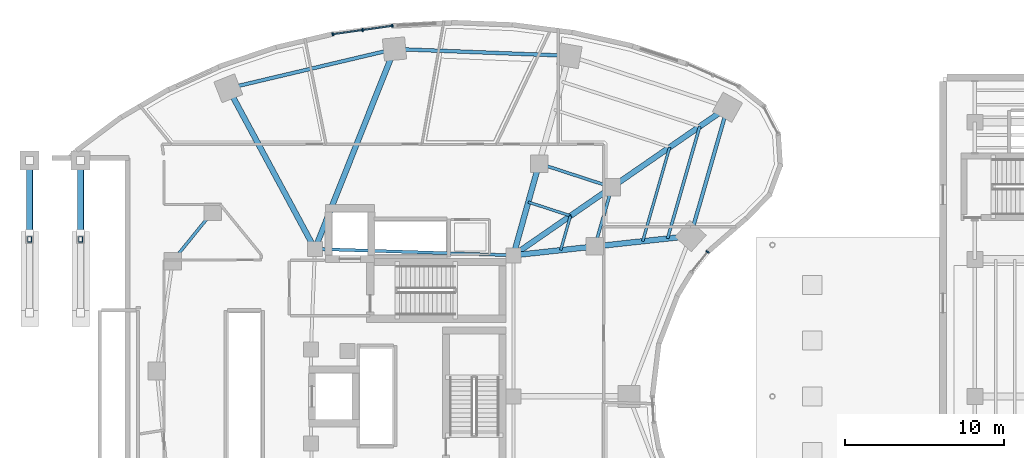
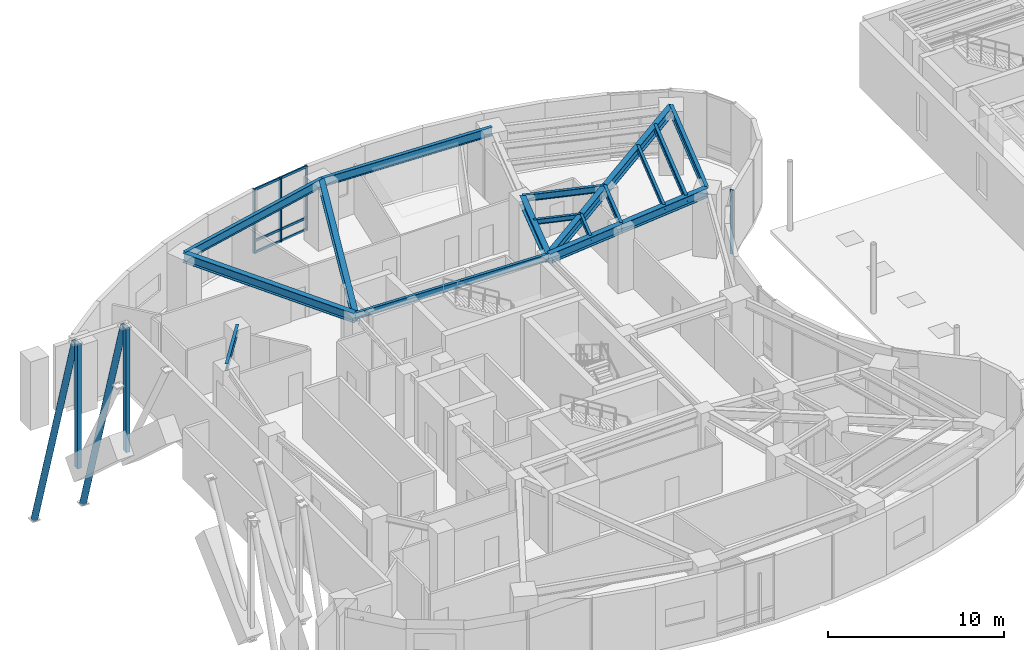
# One storey, part 8 of 24: 18 beams, 14 members, 2 elements without a shape of their own.
"""IFC4 building model written with IfcOpenShell, lengths in metres."""

from ifc_helpers import new_model, si_unit, direction, frame, origin, origin_2d, place, context, subcontext, project, spatial, rectangle, hollow_rectangle, hollow_circle, i_section, extrude, material, layer, layer_set, material_profile, profile_set, type_object, element, aggregate, save


model = new_model("IFC4")

# Units and contexts
model_context = context("Model", 3, precision=1e-05, world=origin(), true_north=direction((0.0, 1.0)))
body_context = subcontext(model_context, "Body", "Model", "MODEL_VIEW")
ifc_project = project(units=[si_unit("LENGTHUNIT", "METRE"), si_unit("AREAUNIT", "SQUARE_METRE"), si_unit("VOLUMEUNIT", "CUBIC_METRE"), si_unit("PLANEANGLEUNIT", "RADIAN"), si_unit("MASSUNIT", "GRAM", prefix="KILO")], contexts=[model_context])

# Site, building, storey
site_placement = place(None, origin())
site = spatial("IfcSite", under=ifc_project, at=site_placement, CompositionType="ELEMENT")
building_placement = place(site_placement, origin())
building = spatial("IfcBuilding", under=site, at=building_placement, Name="Korentha Bioscience Tower", CompositionType="ELEMENT")
storey_placement = place(building_placement, frame((0.0, 0.0, 10.199951171875)))
storey = spatial("IfcBuildingStorey", under=building, at=storey_placement, Name="L02", CompositionType="ELEMENT", Elevation=10.199951171875)

# Members
ifc_material_1 = material(Name="Steel S355", Category="steel")
ifc_material_profile_1 = material_profile(ifc_material_1, hollow_circle(Radius=0.203125, WallThickness=0.02001953125, at=origin_2d()), Name="Steel S355")
ifc_profile_set_1 = profile_set([ifc_material_profile_1], Name="Steel S355 (AR-ST406)")
member_type_1 = type_object("IfcMemberType", Name="Arch Spandrel Diagonal Strut CHS 406.4x20", PredefinedType="STRUT", material=ifc_profile_set_1)
for number, where, z_axis, x_axis, name in (
    (1, (7.199951171875, 41.800048828125, -7.0), (0.0, -0.292304060839, 0.956325434158), (1.0, 0.0, 0.0), "Parabolic Arch Spandrel Strut 1-6"),
    (2, (10.39990234375, 41.800048828125, -7.0), (0.0, -0.292304060839, 0.956325434158), (1.0, 0.0, 0.0), "Parabolic Arch Spandrel Strut 2-6"),
):
    element("IfcMember", number, at=place(storey_placement, frame(where, z_axis=z_axis, x_axis=x_axis)), inside=storey, type_object=member_type_1, Name=name, PredefinedType="STRUT", context=body_context, shape_type="SweptSolid", body=[
        extrude(hollow_circle(Radius=0.203125, WallThickness=0.02001953125, at=origin_2d()), origin(), (0.0, 0.0, 1.0), 15.7373046875),
    ])
ifc_material_profile_2 = material_profile(ifc_material_1, hollow_rectangle(XDim=0.25, YDim=0.35009765625, WallThickness=0.01611328125, at=origin_2d()), Name="Steel S355")
ifc_profile_set_2 = profile_set([ifc_material_profile_2], Name="Steel S355 (BT-P350)")
member_type_2 = type_object("IfcMemberType", Name="Arch Spandrel Vertical Strut RHS 350x250x16", PredefinedType="STRUT", material=ifc_profile_set_2)
for number, where, z_axis, x_axis, name in (
    (3, (7.199951171875, 36.85009765625, -0.39990234375), (0.0, 0.0, 1.0), (1.0, 0.0, 0.0), "Parabolic Arch Spandrel Vertical 1-6"),
    (4, (10.39990234375, 36.85009765625, -0.39990234375), (0.0, 0.0, 1.0), (1.0, 0.0, 0.0), "Parabolic Arch Spandrel Vertical 2-6"),
):
    element("IfcMember", number, at=place(storey_placement, frame(where, z_axis=z_axis, x_axis=x_axis)), inside=storey, type_object=member_type_2, Name=name, PredefinedType="STRUT", context=body_context, shape_type="SweptSolid", body=[
        extrude(hollow_rectangle(XDim=0.25, YDim=0.35009765625, WallThickness=0.01611328125, at=origin_2d()), origin(), (0.0, 0.0, 1.0), 8.64990234375),
    ])

# Beams
ifc_material_profile_3 = material_profile(ifc_material_1, i_section(OverallWidth=0.18994140625, OverallDepth=0.45703125, WebThickness=0.009033203125, FlangeThickness=0.014404296875, at=origin_2d()), Name="Steel S355")
ifc_profile_set_3 = profile_set([ifc_material_profile_3], Name="Steel S355 (MB-460)")
beam_type_1 = type_object("IfcBeamType", Name="Mid-Ring Tie Girder W460x74", PredefinedType="BEAM", material=ifc_profile_set_3)
beam_1_placement = place(storey_placement, frame((43.7265625, 40.121337890625, 4.221435546875), z_axis=(-0.950877001105, 0.309568940253, 0.0), x_axis=(-0.309568940253, -0.950877001105, 0.0)))
element("IfcBeam", 5, at=beam_1_placement, inside=storey, type_object=beam_type_1, Name="L02 Mid-Ring Tie Girder 01", PredefinedType="BEAM", context=body_context, shape_type="SweptSolid", body=[
    extrude(i_section(OverallWidth=0.18994140625, OverallDepth=0.45703125, WebThickness=0.009033203125, FlangeThickness=0.014404296875, at=origin_2d()), origin(), (0.0, 0.0, 1.0), 4.80126953125),
])
beam_2_placement = place(storey_placement, frame((18.692138671875, 38.5947265625, 4.221435546875), z_axis=(-0.629790009744, -0.776765436684, 0.0), x_axis=(0.776765436684, -0.629790009744, 0.0)))
element("IfcBeam", 6, at=beam_2_placement, inside=storey, type_object=beam_type_1, Name="L02 Mid-Ring Tie Girder 05", PredefinedType="BEAM", context=body_context, shape_type="SweptSolid", body=[
    extrude(i_section(OverallWidth=0.18994140625, OverallDepth=0.45703125, WebThickness=0.009033203125, FlangeThickness=0.014404296875, at=origin_2d()), origin(), (0.0, 0.0, 1.0), 3.998291015625),
])
beam_3_placement = place(storey_placement, frame((42.66162109375, 36.406982421875, 4.221435546875), z_axis=(0.27560557792, 0.961270807535, 0.0), x_axis=(-0.961270807535, 0.27560557792, 0.0)))
element("IfcBeam", 7, at=beam_3_placement, inside=storey, type_object=beam_type_1, Name="L02 Mid-Ring Tie Girder 16", PredefinedType="BEAM", context=body_context, shape_type="SweptSolid", body=[
    extrude(i_section(OverallWidth=0.18994140625, OverallDepth=0.45703125, WebThickness=0.009033203125, FlangeThickness=0.014404296875, at=origin_2d()), origin(), (0.0, 0.0, 1.0), 3.864013671875),
])
beam_4_placement = place(storey_placement, frame((37.550048828125, 35.85009765625, 4.221435546875), z_axis=(-0.999484526071, 0.032104238723, 0.0), x_axis=(-0.032104238723, -0.999484526071, 0.0)))
element("IfcBeam", 8, at=beam_4_placement, inside=storey, type_object=beam_type_1, Name="L02 Core Ring Tie Girder 01", PredefinedType="BEAM", context=body_context, shape_type="SweptSolid", body=[
    extrude(i_section(OverallWidth=0.18994140625, OverallDepth=0.45703125, WebThickness=0.009033203125, FlangeThickness=0.014404296875, at=origin_2d()), origin(), (0.0, 0.0, 1.0), 12.456298828125),
])

# Curtain wall, members
ifc_material_2 = material(Name="Stone-Clad Aluminium Frame", Category="masonry")
ifc_layer = layer(ifc_material_2, 0.219970703125, Name="Stone-Clad Aluminium Frame")
ifc_layer_set = layer_set([ifc_layer], Name="Stone-Clad Aluminium Frame (CW-P1)")
curtain_wall_type = type_object("IfcCurtainWallType", Name="Podium Double-Height Stone-Mullion Curtain Wall CW-P1", PredefinedType="USERDEFINED", material=ifc_layer_set)
curtain_wall_1_placement = place(storey_placement, origin())
curtain_wall_1 = element("IfcCurtainWall", 9, at=curtain_wall_1_placement, inside=storey, type_object=curtain_wall_type, Name="L02 Curtain Wall 07", ObjectType="UNITISED", PredefinedType="USERDEFINED")
ifc_material_3 = material(Name="Anodised Aluminium 6063-T6", Category="aluminium")
ifc_material_profile_4 = material_profile(ifc_material_3, rectangle(XDim=0.090087890625, YDim=0.199951171875, at=origin_2d()), Name="Anodised Aluminium 6063-T6")
ifc_profile_set_4 = profile_set([ifc_material_profile_4], Name="Anodised Aluminium 6063-T6 (CW-MUL)")
member_type_3 = type_object("IfcMemberType", Name="Mullion RECT 90x200", PredefinedType="MULLION", material=ifc_profile_set_4)
member_1_placement = place(storey_placement, frame((29.95849609375, 50.247802734375, 0.0), z_axis=(0.0, 0.0, 1.0), x_axis=(-0.990167372968, -0.139887717511, 0.0)))
member_1 = element("IfcMember", 10, at=member_1_placement, type_object=member_type_3, Name="CW-L02-07 Mullion 1", PredefinedType="MULLION", context=body_context, shape_type="SweptSolid", body=[
    extrude(rectangle(XDim=0.090087890625, YDim=0.199951171875, at=origin_2d()), origin(), (0.0, 0.0, 1.0), 4.449951171875),
])
member_2_placement = place(storey_placement, frame((28.086669921875, 49.9833984375, 0.0), z_axis=(0.0, 0.0, 1.0), x_axis=(-0.990167372968, -0.139887717511, 0.0)))
member_2 = element("IfcMember", 11, at=member_2_placement, type_object=member_type_3, Name="CW-L02-07 Mullion 2", PredefinedType="MULLION", context=body_context, shape_type="SweptSolid", body=[
    extrude(rectangle(XDim=0.090087890625, YDim=0.199951171875, at=origin_2d()), origin(), (0.0, 0.0, 1.0), 4.449951171875),
])
member_3_placement = place(storey_placement, frame((26.214599609375, 49.718994140625, 0.0), z_axis=(0.0, 0.0, 1.0), x_axis=(-0.990167372968, -0.139887717511, 0.0)))
member_3 = element("IfcMember", 12, at=member_3_placement, type_object=member_type_3, Name="CW-L02-07 Mullion 3", PredefinedType="MULLION", context=body_context, shape_type="SweptSolid", body=[
    extrude(rectangle(XDim=0.090087890625, YDim=0.199951171875, at=origin_2d()), origin(), (0.0, 0.0, 1.0), 4.449951171875),
])

# Curtain wall, member
curtain_wall_2_placement = place(storey_placement, origin())
curtain_wall_2 = element("IfcCurtainWall", 13, at=curtain_wall_2_placement, inside=storey, type_object=curtain_wall_type, Name="L02 Curtain Wall 55", ObjectType="UNITISED", PredefinedType="USERDEFINED")
member_4_placement = place(storey_placement, frame((49.73291015625, 36.072021484375, 0.0), z_axis=(0.0, 0.0, 1.0), x_axis=(0.622520324648, 0.782603632371, 0.0)))
member_4 = element("IfcMember", 14, at=member_4_placement, type_object=member_type_3, Name="CW-L02-55 Mullion 2", PredefinedType="MULLION", context=body_context, shape_type="SweptSolid", body=[
    extrude(rectangle(XDim=0.090087890625, YDim=0.199951171875, at=origin_2d()), origin(), (0.0, 0.0, 1.0), 4.449951171875),
])
aggregate(curtain_wall_2, [member_4])

# Beams
ifc_material_profile_5 = material_profile(ifc_material_1, i_section(OverallWidth=0.22802734375, OverallDepth=0.60791015625, WebThickness=0.01123046875, FlangeThickness=0.017333984375, at=origin_2d()), Name="Steel S355")
ifc_profile_set_5 = profile_set([ifc_material_profile_5], Name="Steel S355 (SB-610)")
beam_type_2 = type_object("IfcBeamType", Name="Perimeter Ring Spandrel Girder W610x113", PredefinedType="SPANDREL", material=ifc_profile_set_5)
beam_5_placement = place(storey_placement, frame((41.052490234375, 48.36669921875, 4.14599609375), z_axis=(-0.999246003889, 0.03882555488, 0.0), x_axis=(-0.03882555488, -0.999246003889, 0.0)))
element("IfcBeam", 15, at=beam_5_placement, inside=storey, type_object=beam_type_2, Name="L02 Perimeter Spandrel Girder 02", PredefinedType="SPANDREL", context=body_context, shape_type="SweptSolid", body=[
    extrude(i_section(OverallWidth=0.22802734375, OverallDepth=0.60791015625, WebThickness=0.01123046875, FlangeThickness=0.017333984375, at=origin_2d()), origin(), (0.0, 0.0, 1.0), 10.966552734375),
])
beam_6_placement = place(storey_placement, frame((30.09423828125, 48.79248046875, 4.14599609375), z_axis=(-0.973207885376, -0.229926970672, 0.0), x_axis=(0.229926970672, -0.973207885376, 0.0)))
element("IfcBeam", 16, at=beam_6_placement, inside=storey, type_object=beam_type_2, Name="L02 Perimeter Spandrel Girder 03", PredefinedType="SPANDREL", context=body_context, shape_type="SweptSolid", body=[
    extrude(i_section(OverallWidth=0.22802734375, OverallDepth=0.60791015625, WebThickness=0.01123046875, FlangeThickness=0.017333984375, at=origin_2d()), origin(), (0.0, 0.0, 1.0), 10.71484375),
])
beam_7_placement = place(storey_placement, frame((48.661865234375, 37.060791015625, 4.14599609375), z_axis=(0.275642273411, 0.961260285827, 0.0), x_axis=(-0.961260285827, 0.275642273411, 0.0)))
element("IfcBeam", 17, at=beam_7_placement, inside=storey, type_object=beam_type_2, Name="L02 Perimeter Spandrel Girder 16", PredefinedType="SPANDREL", context=body_context, shape_type="SweptSolid", body=[
    extrude(i_section(OverallWidth=0.22802734375, OverallDepth=0.60791015625, WebThickness=0.01123046875, FlangeThickness=0.017333984375, at=origin_2d()), origin(), (0.0, 0.0, 1.0), 8.400146484375),
])
ifc_material_profile_6 = material_profile(ifc_material_1, i_section(OverallWidth=0.18994140625, OverallDepth=0.45703125, WebThickness=0.009033203125, FlangeThickness=0.014404296875, at=origin_2d()), Name="Steel S355")
ifc_profile_set_6 = profile_set([ifc_material_profile_6], Name="Steel S355 (RB-460)")
beam_type_3 = type_object("IfcBeamType", Name="Radial Laboratory Beam W460x74", PredefinedType="BEAM", material=ifc_profile_set_6)
beam_8_placement = place(storey_placement, frame((47.2216796875, 36.90380859375, 4.221435546875), z_axis=(0.275682421415, 0.961248772443, 0.0), x_axis=(-0.961248772443, 0.275682421415, 0.0)))
element("IfcBeam", 18, at=beam_8_placement, inside=storey, type_object=beam_type_3, Name="L02 Secondary Floor Beam JSTO-16", PredefinedType="BEAM", context=body_context, shape_type="SweptSolid", body=[
    extrude(i_section(OverallWidth=0.18994140625, OverallDepth=0.45703125, WebThickness=0.009033203125, FlangeThickness=0.014404296875, at=origin_2d()), origin(), (0.0, 0.0, 1.0), 7.3115234375),
])
ifc_material_profile_7 = material_profile(ifc_material_1, i_section(OverallWidth=0.35009765625, OverallDepth=0.64990234375, WebThickness=0.01611328125, FlangeThickness=0.02490234375, at=origin_2d()), Name="Steel S355")
ifc_profile_set_7 = profile_set([ifc_material_profile_7], Name="Steel S355 (RB-650)")
beam_type_4 = type_object("IfcBeamType", Name="Radial Laboratory Girder CVS 650x208", PredefinedType="BEAM", material=ifc_profile_set_7)
beam_9_placement = place(storey_placement, frame((37.550048828125, 35.85009765625, 4.125), z_axis=(0.822491697625, 0.568777115694, 0.0), x_axis=(-0.568777115694, 0.822491697625, 0.0)))
element("IfcBeam", 19, at=beam_9_placement, inside=storey, type_object=beam_type_4, Name="L02 Inner Radial Girder 01", PredefinedType="BEAM", context=body_context, shape_type="SweptSolid", body=[
    extrude(i_section(OverallWidth=0.35009765625, OverallDepth=0.64990234375, WebThickness=0.01611328125, FlangeThickness=0.02490234375, at=origin_2d()), origin(), (0.0, 0.0, 1.0), 7.509521484375),
])
beam_10_placement = place(storey_placement, frame((43.7265625, 40.121337890625, 4.125), z_axis=(0.822488186113, 0.568782193555, 0.0), x_axis=(-0.568782193555, 0.822488186113, 0.0)))
element("IfcBeam", 20, at=beam_10_placement, inside=storey, type_object=beam_type_4, Name="L02 Outer Radial Girder 01", PredefinedType="BEAM", context=body_context, shape_type="SweptSolid", body=[
    extrude(i_section(OverallWidth=0.35009765625, OverallDepth=0.64990234375, WebThickness=0.01611328125, FlangeThickness=0.02490234375, at=origin_2d()), origin(), (0.0, 0.0, 1.0), 8.815673828125),
])
beam_11_placement = place(storey_placement, frame((37.550048828125, 35.85009765625, 4.125), z_axis=(0.269469369205, 0.963008961049, 0.0), x_axis=(-0.963008961049, 0.269469369205, 0.0)))
element("IfcBeam", 21, at=beam_11_placement, inside=storey, type_object=beam_type_4, Name="L02 Inner Radial Girder 02", PredefinedType="BEAM", context=body_context, shape_type="SweptSolid", body=[
    extrude(i_section(OverallWidth=0.35009765625, OverallDepth=0.64990234375, WebThickness=0.01611328125, FlangeThickness=0.02490234375, at=origin_2d()), origin(), (0.0, 0.0, 1.0), 5.978759765625),
])
beam_12_placement = place(storey_placement, frame((25.10009765625, 36.25, 4.125), z_axis=(0.369931007413, 0.929059228335, 0.0), x_axis=(-0.929059228335, 0.369931007413, 0.0)))
element("IfcBeam", 22, at=beam_12_placement, inside=storey, type_object=beam_type_4, Name="L02 Radial Girder 03", PredefinedType="BEAM", context=body_context, shape_type="SweptSolid", body=[
    extrude(i_section(OverallWidth=0.35009765625, OverallDepth=0.64990234375, WebThickness=0.01611328125, FlangeThickness=0.02490234375, at=origin_2d()), origin(), (0.0, 0.0, 1.0), 13.500244140625),
])
beam_13_placement = place(storey_placement, frame((25.10009765625, 36.25, 4.125), z_axis=(-0.47454097106, 0.880233416081, 0.0), x_axis=(-0.880233416081, -0.47454097106, 0.0)))
element("IfcBeam", 23, at=beam_13_placement, inside=storey, type_object=beam_type_4, Name="L02 Radial Girder 04", PredefinedType="BEAM", context=body_context, shape_type="SweptSolid", body=[
    extrude(i_section(OverallWidth=0.35009765625, OverallDepth=0.64990234375, WebThickness=0.01611328125, FlangeThickness=0.02490234375, at=origin_2d()), origin(), (0.0, 0.0, 1.0), 11.4501953125),
])
beam_14_placement = place(storey_placement, frame((37.550048828125, 35.85009765625, 4.125), z_axis=(0.994117709144, 0.10830503389, 0.0), x_axis=(-0.10830503389, 0.994117709144, 0.0)))
element("IfcBeam", 24, at=beam_14_placement, inside=storey, type_object=beam_type_4, Name="L02 Inner Radial Girder 16", PredefinedType="BEAM", context=body_context, shape_type="SweptSolid", body=[
    extrude(i_section(OverallWidth=0.35009765625, OverallDepth=0.64990234375, WebThickness=0.01611328125, FlangeThickness=0.02490234375, at=origin_2d()), origin(), (0.0, 0.0, 1.0), 5.141845703125),
])
beam_15_placement = place(storey_placement, frame((42.66162109375, 36.406982421875, 4.125), z_axis=(0.994115805925, 0.108322501862, 0.0), x_axis=(-0.108322501862, 0.994115805925, 0.0)))
element("IfcBeam", 25, at=beam_15_placement, inside=storey, type_object=beam_type_4, Name="L02 Outer Radial Girder 16", PredefinedType="BEAM", context=body_context, shape_type="SweptSolid", body=[
    extrude(i_section(OverallWidth=0.35009765625, OverallDepth=0.64990234375, WebThickness=0.01611328125, FlangeThickness=0.02490234375, at=origin_2d()), origin(), (0.0, 0.0, 1.0), 6.03564453125),
])
ifc_material_profile_8 = material_profile(ifc_material_1, i_section(OverallWidth=0.1708984375, OverallDepth=0.35498046875, WebThickness=0.007080078125, FlangeThickness=0.01171875, at=origin_2d()), Name="Steel S355")
ifc_profile_set_8 = profile_set([ifc_material_profile_8], Name="Steel S355 (JB-360)")
beam_type_5 = type_object("IfcBeamType", Name="Secondary Laboratory Joist W360x51", PredefinedType="JOIST", material=ifc_profile_set_8)
beam_16_placement = place(storey_placement, frame((41.13232421875, 38.327392578125, 4.2724609375), z_axis=(-0.950869630746, 0.309591578254, 0.0), x_axis=(-0.309591578254, -0.950869630746, 0.0)))
element("IfcBeam", 26, at=beam_16_placement, inside=storey, type_object=beam_type_5, Name="L02 Inner Bay Joist 01", PredefinedType="JOIST", context=body_context, shape_type="SweptSolid", body=[
    extrude(i_section(OverallWidth=0.1708984375, OverallDepth=0.35498046875, WebThickness=0.007080078125, FlangeThickness=0.01171875, at=origin_2d()), origin(), (0.0, 0.0, 1.0), 2.784423828125),
])
beam_17_placement = place(storey_placement, frame((45.66162109375, 36.73388671875, 4.2724609375), z_axis=(0.275667500387, 0.96125305161, 0.0), x_axis=(-0.96125305161, 0.275667500387, 0.0)))
element("IfcBeam", 27, at=beam_17_placement, inside=storey, type_object=beam_type_5, Name="L02 Secondary Floor Beam JST-16", PredefinedType="JOIST", context=body_context, shape_type="SweptSolid", body=[
    extrude(i_section(OverallWidth=0.1708984375, OverallDepth=0.35498046875, WebThickness=0.007080078125, FlangeThickness=0.01171875, at=origin_2d()), origin(), (0.0, 0.0, 1.0), 6.132080078125),
])
beam_18_placement = place(storey_placement, frame((40.5146484375, 36.173095703125, 4.2724609375), z_axis=(0.275613067773, 0.961268660091, 0.0), x_axis=(-0.961268660091, 0.275613067773, 0.0)))
element("IfcBeam", 28, at=beam_18_placement, inside=storey, type_object=beam_type_5, Name="L02 Inner Bay Joist 16", PredefinedType="JOIST", context=body_context, shape_type="SweptSolid", body=[
    extrude(i_section(OverallWidth=0.1708984375, OverallDepth=0.35498046875, WebThickness=0.007080078125, FlangeThickness=0.01171875, at=origin_2d()), origin(), (0.0, 0.0, 1.0), 2.2412109375),
])

# Member
ifc_material_profile_9 = material_profile(ifc_material_3, rectangle(XDim=0.090087890625, YDim=0.159912109375, at=origin_2d()), Name="Anodised Aluminium 6063-T6")
ifc_profile_set_9 = profile_set([ifc_material_profile_9], Name="Anodised Aluminium 6063-T6 (CW-TRN)")
member_type_4 = type_object("IfcMemberType", Name="Transom RECT 90x160", PredefinedType="USERDEFINED", material=ifc_profile_set_9)
member_5_placement = place(storey_placement, frame((29.913818359375, 50.24169921875, 0.045166015625), z_axis=(-0.990159924061, -0.139940432982, 0.0), x_axis=(0.139940432982, -0.990159924061, 0.0)))
member_5 = element("IfcMember", 29, at=member_5_placement, type_object=member_type_4, Name="CW-L02-07 Bay 1 Transom 1", ObjectType="TRANSOM", PredefinedType="USERDEFINED", context=body_context, shape_type="SweptSolid", body=[
    extrude(rectangle(XDim=0.090087890625, YDim=0.159912109375, at=origin_2d()), origin(), (0.0, 0.0, 1.0), 1.800537109375),
])

member_6_placement = place(storey_placement, frame((29.913818359375, 50.24169921875, 0.85009765625), z_axis=(-0.990159924061, -0.139940432982, 0.0), x_axis=(0.139940432982, -0.990159924061, 0.0)))
member_6 = element("IfcMember", 30, at=member_6_placement, type_object=member_type_4, Name="CW-L02-07 Bay 1 Transom 2", ObjectType="TRANSOM", PredefinedType="USERDEFINED", context=body_context, shape_type="SweptSolid", body=[
    extrude(rectangle(XDim=0.090087890625, YDim=0.159912109375, at=origin_2d()), origin(), (0.0, 0.0, 1.0), 1.800537109375),
])

member_7_placement = place(storey_placement, frame((29.913818359375, 50.24169921875, 4.405029296875), z_axis=(-0.990159924061, -0.139940432982, 0.0), x_axis=(0.139940432982, -0.990159924061, 0.0)))
member_7 = element("IfcMember", 31, at=member_7_placement, type_object=member_type_4, Name="CW-L02-07 Bay 1 Transom 3", ObjectType="TRANSOM", PredefinedType="USERDEFINED", context=body_context, shape_type="SweptSolid", body=[
    extrude(rectangle(XDim=0.090087890625, YDim=0.159912109375, at=origin_2d()), origin(), (0.0, 0.0, 1.0), 1.800537109375),
])

member_8_placement = place(storey_placement, frame((28.0419921875, 49.977294921875, 0.045166015625), z_axis=(-0.990159924061, -0.139940432982, 0.0), x_axis=(0.139940432982, -0.990159924061, 0.0)))
member_8 = element("IfcMember", 32, at=member_8_placement, type_object=member_type_4, Name="CW-L02-07 Bay 2 Transom 1", ObjectType="TRANSOM", PredefinedType="USERDEFINED", context=body_context, shape_type="SweptSolid", body=[
    extrude(rectangle(XDim=0.090087890625, YDim=0.159912109375, at=origin_2d()), origin(), (0.0, 0.0, 1.0), 1.800537109375),
])

member_9_placement = place(storey_placement, frame((28.0419921875, 49.977294921875, 0.85009765625), z_axis=(-0.990159924061, -0.139940432982, 0.0), x_axis=(0.139940432982, -0.990159924061, 0.0)))
member_9 = element("IfcMember", 33, at=member_9_placement, type_object=member_type_4, Name="CW-L02-07 Bay 2 Transom 2", ObjectType="TRANSOM", PredefinedType="USERDEFINED", context=body_context, shape_type="SweptSolid", body=[
    extrude(rectangle(XDim=0.090087890625, YDim=0.159912109375, at=origin_2d()), origin(), (0.0, 0.0, 1.0), 1.800537109375),
])

member_10_placement = place(storey_placement, frame((28.0419921875, 49.977294921875, 4.405029296875), z_axis=(-0.990159924061, -0.139940432982, 0.0), x_axis=(0.139940432982, -0.990159924061, 0.0)))
member_10 = element("IfcMember", 34, at=member_10_placement, type_object=member_type_4, Name="CW-L02-07 Bay 2 Transom 3", ObjectType="TRANSOM", PredefinedType="USERDEFINED", context=body_context, shape_type="SweptSolid", body=[
    extrude(rectangle(XDim=0.090087890625, YDim=0.159912109375, at=origin_2d()), origin(), (0.0, 0.0, 1.0), 1.800537109375),
])

aggregate(curtain_wall_1, [member_1, member_2, member_3, member_5, member_6, member_7, member_8, member_9, member_10])

save(model, "model.ifc")
